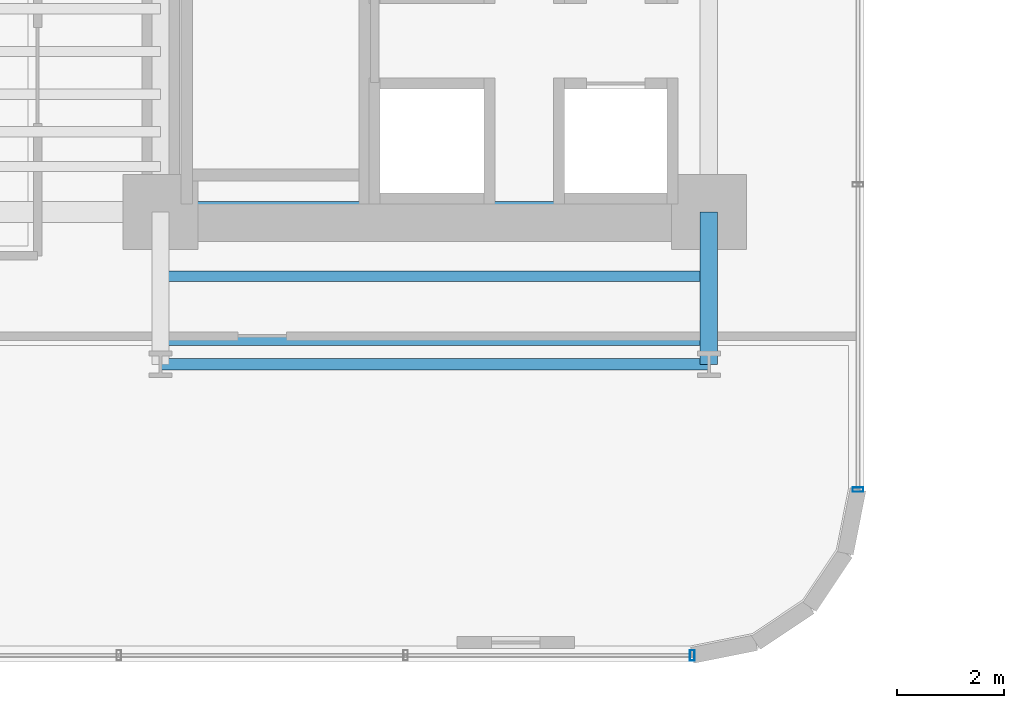
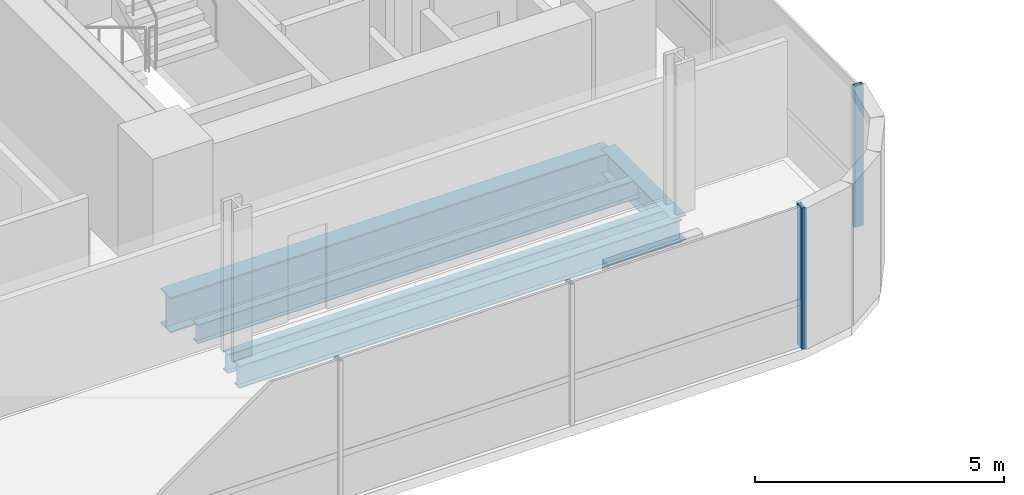
# One storey, part 5 of 39: 5 beams, 2 members, 2 elements without a shape of their own.
"""IFC4 building model written with IfcOpenShell, lengths in metres."""

from ifc_helpers import new_model, si_unit, direction, frame, origin, origin_2d, place, context, subcontext, project, spatial, hollow_rectangle, i_section, extrude, source, transform, mapped, material, material_profile, profile_set, type_object, element, aggregate, save


model = new_model("IFC4")

# Units and contexts
model_context = context("Model", 3, precision=1e-05, world=origin(), true_north=direction((0.0, 1.0)))
body_context = subcontext(model_context, "Body", "Model", "MODEL_VIEW")
ifc_project = project(units=[si_unit("LENGTHUNIT", "METRE"), si_unit("AREAUNIT", "SQUARE_METRE"), si_unit("VOLUMEUNIT", "CUBIC_METRE"), si_unit("PLANEANGLEUNIT", "RADIAN"), si_unit("MASSUNIT", "GRAM", prefix="KILO")], contexts=[model_context])

# Site, building, storey
site_placement = place(None, origin())
site = spatial("IfcSite", under=ifc_project, at=site_placement, CompositionType="ELEMENT")
building_placement = place(site_placement, origin())
building = spatial("IfcBuilding", under=site, at=building_placement, Name="Valdorenza Pilgrim Sanctuary Tower", CompositionType="ELEMENT")
storey_placement = place(building_placement, frame((0.0, 0.0, 70.39990234375)))
storey = spatial("IfcBuildingStorey", under=building, at=storey_placement, Name="L17", CompositionType="ELEMENT", Elevation=70.39990234375)

# Beams
ifc_material_1 = material(Name="Steel ASTM A992 Grade 50", Category="steel")
ifc_material_profile_1 = material_profile(ifc_material_1, i_section(OverallWidth=0.214111328125, OverallDepth=0.549072265625, WebThickness=0.0146484375, FlangeThickness=0.023681640625, at=origin_2d()), Name="W21X93")
ifc_profile_set_1 = profile_set([ifc_material_profile_1], Name="Steel ASTM A992 Grade 50")
beam_type_1 = type_object("IfcBeamType", Name="STR-BM-SPN-W21A", PredefinedType="SPANDREL", material=ifc_profile_set_1)
shared_shape_1 = source(origin(), body_context, "Body", "SweptSolid", [
    extrude(i_section(OverallWidth=0.214111328125, OverallDepth=0.549072265625, WebThickness=0.0146484375, FlangeThickness=0.023681640625, at=origin_2d()), origin(), (0.0, 0.0, 1.0), 10.25),
])
beam_1_placement = place(storey_placement, frame((-22.64990234375, -13.449951171875, -0.514404296875), z_axis=(1.0, 0.0, 0.0), x_axis=(0.0, 1.0, 0.0)))
element("IfcBeam", 1, at=beam_1_placement, inside=storey, type_object=beam_type_1, Name="L17 South Spandrel WA-S-TIE", PredefinedType="SPANDREL", context=body_context, shape_type="MappedRepresentation", body=[
    mapped(shared_shape_1, transform((0.0, 0.0, 0.0), x_axis=(1.0, 0.0, 0.0), y_axis=(0.0, 1.0, 0.0), z_axis=(0.0, 0.0, 1.0), scale=1.0)),
])
ifc_material_profile_2 = material_profile(ifc_material_1, i_section(OverallWidth=0.323974609375, OverallDepth=0.611083984375, WebThickness=0.0126953125, FlangeThickness=0.01904296875, at=origin_2d()), Name="W24X104")
ifc_profile_set_2 = profile_set([ifc_material_profile_2], Name="Steel ASTM A992 Grade 50")
beam_type_2 = type_object("IfcBeamType", Name="STR-BM-GRD-W24B", PredefinedType="BEAM", material=ifc_profile_set_2)
shared_shape_2 = source(origin(), body_context, "Body", "SweptSolid", [
    extrude(i_section(OverallWidth=0.323974609375, OverallDepth=0.611083984375, WebThickness=0.0126953125, FlangeThickness=0.01904296875, at=origin_2d()), origin(), (0.0, 0.0, 1.0), 2.849853515625),
])
beam_2_placement = place(storey_placement, frame((-12.39990234375, -13.449951171875, -0.54541015625), z_axis=(0.0, 1.0, 0.0), x_axis=(-1.0, 0.0, 0.0)))
element("IfcBeam", 2, at=beam_2_placement, inside=storey, type_object=beam_type_2, Name="L17 Floor Girder WA-S-LE", PredefinedType="BEAM", context=body_context, shape_type="MappedRepresentation", body=[
    mapped(shared_shape_2, transform((0.0, 0.0, 0.0), x_axis=(1.0, 0.0, 0.0), y_axis=(0.0, 1.0, 0.0), z_axis=(0.0, 0.0, 1.0), scale=1.0)),
])
ifc_material_profile_3 = material_profile(ifc_material_1, i_section(OverallWidth=0.193115234375, OverallDepth=0.466064453125, WebThickness=0.011474609375, FlangeThickness=0.01904296875, at=origin_2d()), Name="W18X65")
ifc_profile_set_3 = profile_set([ifc_material_profile_3], Name="Steel ASTM A992 Grade 50")
beam_type_3 = type_object("IfcBeamType", Name="STR-BM-JST-W18A", PredefinedType="JOIST", material=ifc_profile_set_3)
shared_shape_3 = source(origin(), body_context, "Body", "SweptSolid", [
    extrude(i_section(OverallWidth=0.193115234375, OverallDepth=0.466064453125, WebThickness=0.011474609375, FlangeThickness=0.01904296875, at=origin_2d()), origin(), (0.0, 0.0, 1.0), 10.25),
])
for number, where, z_axis, x_axis, name in (
    (3, (-22.64990234375, -13.0, -0.472900390625), (1.0, 0.0, 0.0), (0.0, 1.0, 0.0), "L17 Composite Floor Joist JST-WAS-1"),
    (4, (-22.64990234375, -11.800048828125, -0.472900390625), (1.0, 0.0, 0.0), (0.0, 1.0, 0.0), "L17 Composite Floor Joist JST-WAS-2"),
):
    element("IfcBeam", number, at=place(storey_placement, frame(where, z_axis=z_axis, x_axis=x_axis)), inside=storey, type_object=beam_type_3, Name=name, PredefinedType="JOIST", context=body_context, shape_type="MappedRepresentation", body=[
        mapped(shared_shape_3, transform((0.0, 0.0, 0.0), x_axis=(1.0, 0.0, 0.0), y_axis=(0.0, 1.0, 0.0), z_axis=(0.0, 0.0, 1.0), scale=1.0)),
    ])
ifc_material_profile_4 = material_profile(ifc_material_1, i_section(OverallWidth=0.39990234375, OverallDepth=0.862060546875, WebThickness=0.019775390625, FlangeThickness=0.032470703125, at=origin_2d()), Name="W33X221")
ifc_profile_set_4 = profile_set([ifc_material_profile_4], Name="Steel ASTM A992 Grade 50")
beam_type_4 = type_object("IfcBeamType", Name="STR-BM-GRD-W33", PredefinedType="BEAM", material=ifc_profile_set_4)
shared_shape_4 = source(origin(), body_context, "Body", "SweptSolid", [
    extrude(i_section(OverallWidth=0.39990234375, OverallDepth=0.862060546875, WebThickness=0.019775390625, FlangeThickness=0.032470703125, at=origin_2d()), origin(), (0.0, 0.0, 1.0), 10.25),
])
beam_3_placement = place(storey_placement, frame((-22.64990234375, -10.60009765625, -0.6708984375), z_axis=(1.0, 0.0, 0.0), x_axis=(0.0, 1.0, 0.0)))
element("IfcBeam", 5, at=beam_3_placement, inside=storey, type_object=beam_type_4, Name="L17 Floor Girder CA-XC-S1", PredefinedType="BEAM", context=body_context, shape_type="MappedRepresentation", body=[
    mapped(shared_shape_4, transform((0.0, 0.0, 0.0), x_axis=(1.0, 0.0, 0.0), y_axis=(0.0, 1.0, 0.0), z_axis=(0.0, 0.0, 1.0), scale=1.0)),
])

# Curtain wall, member
ifc_material_2 = material(Name="Curtain-wall IGU glazing", Category="glass")
curtain_wall_type = type_object("IfcCurtainWallType", Name="CW-SYS-02", PredefinedType="NOTDEFINED", material=ifc_material_2)
curtain_wall_1_placement = place(storey_placement, origin())
curtain_wall_1 = element("IfcCurtainWall", 6, at=curtain_wall_1_placement, inside=storey, type_object=curtain_wall_type, Name="L17 Curtain Wall CW-L17-1-41", PredefinedType="NOTDEFINED")
ifc_material_3 = material(Name="Anodised aluminium AW-6060", Category="aluminium")
ifc_material_profile_5 = material_profile(ifc_material_3, hollow_rectangle(XDim=0.0849609375, YDim=0.199951171875, WallThickness=0.0048828125, at=origin_2d()), Name="ALU-M 200x85x5")
ifc_profile_set_5 = profile_set([ifc_material_profile_5], Name="Anodised aluminium AW-6060")
member_type = type_object("IfcMemberType", Name="CW-MUL-02", PredefinedType="MULLION", material=ifc_profile_set_5)
shared_shape_5 = source(origin(), body_context, "Body", "SweptSolid", [
    extrude(hollow_rectangle(XDim=0.0849609375, YDim=0.199951171875, WallThickness=0.0048828125, at=origin_2d()), origin(), (0.0, 0.0, 1.0), 3.460205078125),
])
member_1_placement = place(storey_placement, frame((-9.610107421875, -15.789306640625, 0.0), z_axis=(0.0, 0.0, 1.0), x_axis=(0.0, -1.0, 0.0)))
member_1 = element("IfcMember", 7, at=member_1_placement, type_object=member_type, Name="CW-L17-1-41 Mullion 5", PredefinedType="MULLION", context=body_context, shape_type="MappedRepresentation", body=[
    mapped(shared_shape_5, transform((0.0, 0.0, 0.0), x_axis=(1.0, 0.0, 0.0), y_axis=(0.0, 1.0, 0.0), z_axis=(0.0, 0.0, 1.0), scale=1.0)),
])
aggregate(curtain_wall_1, [member_1])

curtain_wall_2_placement = place(storey_placement, origin())
curtain_wall_2 = element("IfcCurtainWall", 8, at=curtain_wall_2_placement, inside=storey, type_object=curtain_wall_type, Name="L17 Curtain Wall CW-L17-1-46", PredefinedType="NOTDEFINED")
member_2_placement = place(storey_placement, frame((-12.710693359375, -18.889892578125, 0.0), z_axis=(0.0, 0.0, 1.0), x_axis=(-1.0, 0.0, 0.0)))
member_2 = element("IfcMember", 9, at=member_2_placement, type_object=member_type, Name="CW-L17-1-46 Mullion 1", PredefinedType="MULLION", context=body_context, shape_type="MappedRepresentation", body=[
    mapped(shared_shape_5, transform((0.0, 0.0, 0.0), x_axis=(1.0, 0.0, 0.0), y_axis=(0.0, 1.0, 0.0), z_axis=(0.0, 0.0, 1.0), scale=1.0)),
])
aggregate(curtain_wall_2, [member_2])

save(model, "model.ifc")
